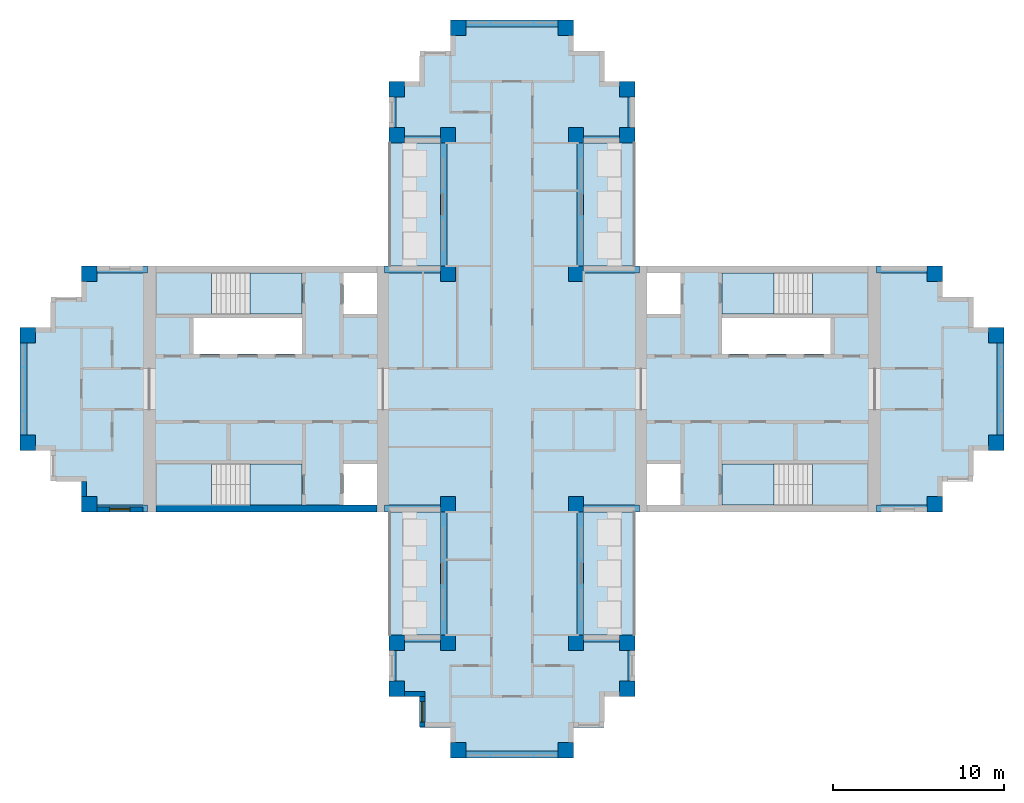
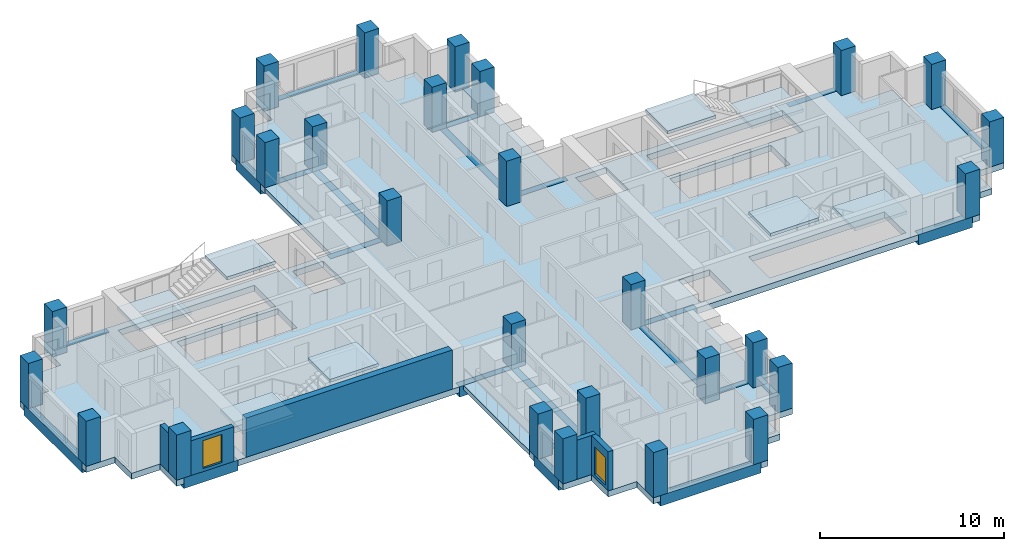
# One storey, part 1 of 10: 28 columns, 24 beams, 13 slabs, 5 walls, 2 windows, 2 openings, 4 elements without a shape of their own.
"""IFC4 building model written with IfcOpenShell, lengths in metres."""

from ifc_helpers import new_model, si_unit, direction, frame, frame_2d, origin, origin_2d, place, context, subcontext, project, spatial, polyline, rectangle, outline, extrude, material, layer, layer_set, material_profile, profile_set, type_object, element, fill, aggregate, save


model = new_model("IFC4")

# Units and contexts
model_context = context("Model", 3, precision=1e-05, world=origin(), true_north=direction((0.0, 1.0)))
body_context = subcontext(model_context, "Body", "Model", "MODEL_VIEW")
ifc_project = project(units=[si_unit("LENGTHUNIT", "METRE"), si_unit("AREAUNIT", "SQUARE_METRE"), si_unit("VOLUMEUNIT", "CUBIC_METRE"), si_unit("PLANEANGLEUNIT", "RADIAN"), si_unit("MASSUNIT", "GRAM", prefix="KILO")], contexts=[model_context])

# Site, building, storey
site_placement = place(None, origin())
site = spatial("IfcSite", under=ifc_project, at=site_placement, CompositionType="ELEMENT")
building_placement = place(site_placement, origin())
building = spatial("IfcBuilding", under=site, at=building_placement, Name="Fustian Cross Tower", CompositionType="ELEMENT")
storey_placement = place(building_placement, frame((0.0, 0.0, 204.89990234375)))
storey = spatial("IfcBuildingStorey", under=building, at=storey_placement, Name="L64", CompositionType="ELEMENT", Elevation=204.89990234375)

# Columns
ifc_material_1 = material(Name="Concrete C40/50", Category="concrete")
ifc_material_profile_1 = material_profile(ifc_material_1, rectangle(XDim=0.89990234375, YDim=0.89990234375, at=origin_2d()), Name="RC 900x900")
ifc_profile_set_1 = profile_set([ifc_material_profile_1], Name="Concrete C40/50")
column_type = type_object("IfcColumnType", Name="COLUMN RC 900x900 C40/50", PredefinedType="COLUMN", material=ifc_profile_set_1)
for number, where, z_axis, x_axis, name in (
    (1, (-28.35009765625, -3.14990234375, 0.0), (0.0, 0.0, 1.0), (1.0, 0.0, 0.0), "COLUMN 008"),
    (2, (-28.35009765625, 3.14990234375, 0.0), (0.0, 0.0, 1.0), (1.0, 0.0, 0.0), "COLUMN 009"),
    (3, (-24.75, -6.75, 0.0), (0.0, 0.0, 1.0), (1.0, 0.0, 0.0), "COLUMN 011"),
    (4, (-24.75, 6.75, 0.0), (0.0, 0.0, 1.0), (1.0, 0.0, 0.0), "COLUMN 012"),
    (5, (-6.75, -17.550048828125, 0.0), (0.0, 0.0, 1.0), (1.0, 0.0, 0.0), "COLUMN 017"),
    (6, (-6.75, -14.85009765625, 0.0), (0.0, 0.0, 1.0), (1.0, 0.0, 0.0), "COLUMN 018"),
    (7, (-6.75, 14.85009765625, 0.0), (0.0, 0.0, 1.0), (1.0, 0.0, 0.0), "COLUMN 019"),
    (8, (-6.75, 17.550048828125, 0.0), (0.0, 0.0, 1.0), (1.0, 0.0, 0.0), "COLUMN 020"),
    (9, (-3.75, -14.85009765625, 0.0), (0.0, 0.0, 1.0), (1.0, 0.0, 0.0), "COLUMN 025"),
    (10, (-3.75, -6.75, 0.0), (0.0, 0.0, 1.0), (1.0, 0.0, 0.0), "COLUMN 026"),
    (11, (-3.75, 6.75, 0.0), (0.0, 0.0, 1.0), (1.0, 0.0, 0.0), "COLUMN 027"),
    (12, (-3.75, 14.85009765625, 0.0), (0.0, 0.0, 1.0), (1.0, 0.0, 0.0), "COLUMN 028"),
    (13, (-3.14990234375, -21.14990234375, 0.0), (0.0, 0.0, 1.0), (1.0, 0.0, 0.0), "COLUMN 030"),
    (14, (-3.14990234375, 21.14990234375, 0.0), (0.0, 0.0, 1.0), (1.0, 0.0, 0.0), "COLUMN 031"),
    (15, (3.14990234375, -21.14990234375, 0.0), (0.0, 0.0, 1.0), (1.0, 0.0, 0.0), "COLUMN 034"),
    (16, (3.14990234375, 21.14990234375, 0.0), (0.0, 0.0, 1.0), (1.0, 0.0, 0.0), "COLUMN 035"),
    (17, (3.75, -14.85009765625, 0.0), (0.0, 0.0, 1.0), (1.0, 0.0, 0.0), "COLUMN 037"),
    (18, (3.75, -6.75, 0.0), (0.0, 0.0, 1.0), (1.0, 0.0, 0.0), "COLUMN 038"),
    (19, (3.75, 6.75, 0.0), (0.0, 0.0, 1.0), (1.0, 0.0, 0.0), "COLUMN 039"),
    (20, (3.75, 14.85009765625, 0.0), (0.0, 0.0, 1.0), (1.0, 0.0, 0.0), "COLUMN 040"),
    (21, (6.75, -17.550048828125, 0.0), (0.0, 0.0, 1.0), (1.0, 0.0, 0.0), "COLUMN 045"),
    (22, (6.75, -14.85009765625, 0.0), (0.0, 0.0, 1.0), (1.0, 0.0, 0.0), "COLUMN 046"),
    (23, (6.75, 14.85009765625, 0.0), (0.0, 0.0, 1.0), (1.0, 0.0, 0.0), "COLUMN 047"),
    (24, (6.75, 17.550048828125, 0.0), (0.0, 0.0, 1.0), (1.0, 0.0, 0.0), "COLUMN 048"),
    (25, (24.75, -6.75, 0.0), (0.0, 0.0, 1.0), (1.0, 0.0, 0.0), "COLUMN 053"),
    (26, (24.75, 6.75, 0.0), (0.0, 0.0, 1.0), (1.0, 0.0, 0.0), "COLUMN 054"),
    (27, (28.35009765625, -3.14990234375, 0.0), (0.0, 0.0, 1.0), (1.0, 0.0, 0.0), "COLUMN 056"),
    (28, (28.35009765625, 3.14990234375, 0.0), (0.0, 0.0, 1.0), (1.0, 0.0, 0.0), "COLUMN 057"),
):
    element("IfcColumn", number, at=place(storey_placement, frame(where, z_axis=z_axis, x_axis=x_axis)), inside=storey, type_object=column_type, Name=name, PredefinedType="COLUMN", context=body_context, shape_type="SweptSolid", body=[
        extrude(rectangle(XDim=0.89990234375, YDim=0.89990234375, at=origin_2d()), origin(), (0.0, 0.0, 1.0), 3.0),
    ])

# Beams
ifc_material_2 = material(Name="Concrete C50/60", Category="concrete")
ifc_material_profile_2 = material_profile(ifc_material_2, rectangle(XDim=0.39990234375, YDim=0.699951171875, at=origin_2d()), Name="RC 400x700")
ifc_profile_set_2 = profile_set([ifc_material_profile_2], Name="Concrete C50/60")
beam_type = type_object("IfcBeamType", Name="EDGE BEAM RC 400x700 C50/60", PredefinedType="SPANDREL", material=ifc_profile_set_2)
beam_1_placement = place(storey_placement, frame((21.35009765625, -7.0, -0.349853515625), z_axis=(1.0, 0.0, 0.0), x_axis=(0.0, 1.0, 0.0)))
element("IfcBeam", 29, at=beam_1_placement, inside=storey, type_object=beam_type, Name="EDGE BEAM L64-01", PredefinedType="SPANDREL", context=body_context, shape_type="SweptSolid", body=[
    extrude(rectangle(XDim=0.39990234375, YDim=0.699951171875, at=origin_2d()), origin(), (0.0, 0.0, 1.0), 3.39990234375),
])
beam_2_placement = place(storey_placement, frame((28.60009765625, -3.14990234375, -0.349853515625), z_axis=(0.0, 1.0, 0.0), x_axis=(-1.0, 0.0, 0.0)))
element("IfcBeam", 30, at=beam_2_placement, inside=storey, type_object=beam_type, Name="EDGE BEAM L64-02", PredefinedType="SPANDREL", context=body_context, shape_type="SweptSolid", body=[
    extrude(rectangle(XDim=0.39990234375, YDim=0.699951171875, at=origin_2d()), origin(), (0.0, 0.0, 1.0), 6.2998046875),
])
beam_3_placement = place(storey_placement, frame((24.75, 7.0, -0.349853515625), z_axis=(-1.0, 0.0, 0.0), x_axis=(0.0, -1.0, 0.0)))
element("IfcBeam", 31, at=beam_3_placement, inside=storey, type_object=beam_type, Name="EDGE BEAM L64-03", PredefinedType="SPANDREL", context=body_context, shape_type="SweptSolid", body=[
    extrude(rectangle(XDim=0.39990234375, YDim=0.699951171875, at=origin_2d()), origin(), (0.0, 0.0, 1.0), 3.39990234375),
])
beam_4_placement = place(storey_placement, frame((7.449951171875, 7.0, -0.349853515625), z_axis=(-1.0, 0.0, 0.0), x_axis=(0.0, -1.0, 0.0)))
element("IfcBeam", 32, at=beam_4_placement, inside=storey, type_object=beam_type, Name="EDGE BEAM L64-04", PredefinedType="SPANDREL", context=body_context, shape_type="SweptSolid", body=[
    extrude(rectangle(XDim=0.39990234375, YDim=0.699951171875, at=origin_2d()), origin(), (0.0, 0.0, 1.0), 3.699951171875),
])
beam_5_placement = place(storey_placement, frame((4.0, 6.75, -0.349853515625), z_axis=(0.0, 1.0, 0.0), x_axis=(-1.0, 0.0, 0.0)))
element("IfcBeam", 33, at=beam_5_placement, inside=storey, type_object=beam_type, Name="EDGE BEAM L64-05", PredefinedType="SPANDREL", context=body_context, shape_type="SweptSolid", body=[
    extrude(rectangle(XDim=0.39990234375, YDim=0.699951171875, at=origin_2d()), origin(), (0.0, 0.0, 1.0), 8.10009765625),
])
beam_6_placement = place(storey_placement, frame((3.75, 14.60009765625, -0.349853515625), z_axis=(1.0, 0.0, 0.0), x_axis=(0.0, 1.0, 0.0)))
element("IfcBeam", 34, at=beam_6_placement, inside=storey, type_object=beam_type, Name="EDGE BEAM L64-06", PredefinedType="SPANDREL", context=body_context, shape_type="SweptSolid", body=[
    extrude(rectangle(XDim=0.39990234375, YDim=0.699951171875, at=origin_2d()), origin(), (0.0, 0.0, 1.0), 3.0),
])
beam_7_placement = place(storey_placement, frame((7.0, 14.85009765625, -0.349853515625), z_axis=(0.0, 1.0, 0.0), x_axis=(-1.0, 0.0, 0.0)))
element("IfcBeam", 35, at=beam_7_placement, inside=storey, type_object=beam_type, Name="EDGE BEAM L64-07", PredefinedType="SPANDREL", context=body_context, shape_type="SweptSolid", body=[
    extrude(rectangle(XDim=0.39990234375, YDim=0.699951171875, at=origin_2d()), origin(), (0.0, 0.0, 1.0), 2.699951171875),
])
beam_8_placement = place(storey_placement, frame((3.14990234375, 21.39990234375, -0.349853515625), z_axis=(-1.0, 0.0, 0.0), x_axis=(0.0, -1.0, 0.0)))
element("IfcBeam", 36, at=beam_8_placement, inside=storey, type_object=beam_type, Name="EDGE BEAM L64-08", PredefinedType="SPANDREL", context=body_context, shape_type="SweptSolid", body=[
    extrude(rectangle(XDim=0.39990234375, YDim=0.699951171875, at=origin_2d()), origin(), (0.0, 0.0, 1.0), 6.2998046875),
])
beam_9_placement = place(storey_placement, frame((-7.0, 17.550048828125, -0.349853515625), z_axis=(0.0, -1.0, 0.0), x_axis=(1.0, 0.0, 0.0)))
element("IfcBeam", 37, at=beam_9_placement, inside=storey, type_object=beam_type, Name="EDGE BEAM L64-09", PredefinedType="SPANDREL", context=body_context, shape_type="SweptSolid", body=[
    extrude(rectangle(XDim=0.39990234375, YDim=0.699951171875, at=origin_2d()), origin(), (0.0, 0.0, 1.0), 2.699951171875),
])
beam_10_placement = place(storey_placement, frame((-6.75, 14.60009765625, -0.349853515625), z_axis=(1.0, 0.0, 0.0), x_axis=(0.0, 1.0, 0.0)))
element("IfcBeam", 38, at=beam_10_placement, inside=storey, type_object=beam_type, Name="EDGE BEAM L64-10", PredefinedType="SPANDREL", context=body_context, shape_type="SweptSolid", body=[
    extrude(rectangle(XDim=0.39990234375, YDim=0.699951171875, at=origin_2d()), origin(), (0.0, 0.0, 1.0), 3.0),
])
beam_11_placement = place(storey_placement, frame((-4.0, 14.85009765625, -0.349853515625), z_axis=(0.0, -1.0, 0.0), x_axis=(1.0, 0.0, 0.0)))
element("IfcBeam", 39, at=beam_11_placement, inside=storey, type_object=beam_type, Name="EDGE BEAM L64-11", PredefinedType="SPANDREL", context=body_context, shape_type="SweptSolid", body=[
    extrude(rectangle(XDim=0.39990234375, YDim=0.699951171875, at=origin_2d()), origin(), (0.0, 0.0, 1.0), 8.10009765625),
])
beam_12_placement = place(storey_placement, frame((-3.75, 7.0, -0.349853515625), z_axis=(-1.0, 0.0, 0.0), x_axis=(0.0, -1.0, 0.0)))
element("IfcBeam", 40, at=beam_12_placement, inside=storey, type_object=beam_type, Name="EDGE BEAM L64-12", PredefinedType="SPANDREL", context=body_context, shape_type="SweptSolid", body=[
    extrude(rectangle(XDim=0.39990234375, YDim=0.699951171875, at=origin_2d()), origin(), (0.0, 0.0, 1.0), 3.699951171875),
])
beam_13_placement = place(storey_placement, frame((-21.35009765625, 7.0, -0.349853515625), z_axis=(-1.0, 0.0, 0.0), x_axis=(0.0, -1.0, 0.0)))
element("IfcBeam", 41, at=beam_13_placement, inside=storey, type_object=beam_type, Name="EDGE BEAM L64-13", PredefinedType="SPANDREL", context=body_context, shape_type="SweptSolid", body=[
    extrude(rectangle(XDim=0.39990234375, YDim=0.699951171875, at=origin_2d()), origin(), (0.0, 0.0, 1.0), 3.39990234375),
])
beam_14_placement = place(storey_placement, frame((-28.60009765625, 3.14990234375, -0.349853515625), z_axis=(0.0, -1.0, 0.0), x_axis=(1.0, 0.0, 0.0)))
element("IfcBeam", 42, at=beam_14_placement, inside=storey, type_object=beam_type, Name="EDGE BEAM L64-14", PredefinedType="SPANDREL", context=body_context, shape_type="SweptSolid", body=[
    extrude(rectangle(XDim=0.39990234375, YDim=0.699951171875, at=origin_2d()), origin(), (0.0, 0.0, 1.0), 6.2998046875),
])
beam_15_placement = place(storey_placement, frame((-24.75, -7.0, -0.349853515625), z_axis=(1.0, 0.0, 0.0), x_axis=(0.0, 1.0, 0.0)))
element("IfcBeam", 43, at=beam_15_placement, inside=storey, type_object=beam_type, Name="EDGE BEAM L64-15", PredefinedType="SPANDREL", context=body_context, shape_type="SweptSolid", body=[
    extrude(rectangle(XDim=0.39990234375, YDim=0.699951171875, at=origin_2d()), origin(), (0.0, 0.0, 1.0), 3.39990234375),
])
beam_16_placement = place(storey_placement, frame((-7.449951171875, -7.0, -0.349853515625), z_axis=(1.0, 0.0, 0.0), x_axis=(0.0, 1.0, 0.0)))
element("IfcBeam", 44, at=beam_16_placement, inside=storey, type_object=beam_type, Name="EDGE BEAM L64-16", PredefinedType="SPANDREL", context=body_context, shape_type="SweptSolid", body=[
    extrude(rectangle(XDim=0.39990234375, YDim=0.699951171875, at=origin_2d()), origin(), (0.0, 0.0, 1.0), 3.699951171875),
])
beam_17_placement = place(storey_placement, frame((-4.0, -6.75, -0.349853515625), z_axis=(0.0, -1.0, 0.0), x_axis=(1.0, 0.0, 0.0)))
element("IfcBeam", 45, at=beam_17_placement, inside=storey, type_object=beam_type, Name="EDGE BEAM L64-17", PredefinedType="SPANDREL", context=body_context, shape_type="SweptSolid", body=[
    extrude(rectangle(XDim=0.39990234375, YDim=0.699951171875, at=origin_2d()), origin(), (0.0, 0.0, 1.0), 8.10009765625),
])
beam_18_placement = place(storey_placement, frame((-3.75, -14.60009765625, -0.349853515625), z_axis=(-1.0, 0.0, 0.0), x_axis=(0.0, -1.0, 0.0)))
element("IfcBeam", 46, at=beam_18_placement, inside=storey, type_object=beam_type, Name="EDGE BEAM L64-18", PredefinedType="SPANDREL", context=body_context, shape_type="SweptSolid", body=[
    extrude(rectangle(XDim=0.39990234375, YDim=0.699951171875, at=origin_2d()), origin(), (0.0, 0.0, 1.0), 3.0),
])
beam_19_placement = place(storey_placement, frame((-7.0, -14.85009765625, -0.349853515625), z_axis=(0.0, -1.0, 0.0), x_axis=(1.0, 0.0, 0.0)))
element("IfcBeam", 47, at=beam_19_placement, inside=storey, type_object=beam_type, Name="EDGE BEAM L64-19", PredefinedType="SPANDREL", context=body_context, shape_type="SweptSolid", body=[
    extrude(rectangle(XDim=0.39990234375, YDim=0.699951171875, at=origin_2d()), origin(), (0.0, 0.0, 1.0), 2.699951171875),
])
beam_20_placement = place(storey_placement, frame((-3.14990234375, -21.39990234375, -0.349853515625), z_axis=(1.0, 0.0, 0.0), x_axis=(0.0, 1.0, 0.0)))
element("IfcBeam", 48, at=beam_20_placement, inside=storey, type_object=beam_type, Name="EDGE BEAM L64-20", PredefinedType="SPANDREL", context=body_context, shape_type="SweptSolid", body=[
    extrude(rectangle(XDim=0.39990234375, YDim=0.699951171875, at=origin_2d()), origin(), (0.0, 0.0, 1.0), 6.2998046875),
])
beam_21_placement = place(storey_placement, frame((7.0, -17.550048828125, -0.349853515625), z_axis=(0.0, 1.0, 0.0), x_axis=(-1.0, 0.0, 0.0)))
element("IfcBeam", 49, at=beam_21_placement, inside=storey, type_object=beam_type, Name="EDGE BEAM L64-21", PredefinedType="SPANDREL", context=body_context, shape_type="SweptSolid", body=[
    extrude(rectangle(XDim=0.39990234375, YDim=0.699951171875, at=origin_2d()), origin(), (0.0, 0.0, 1.0), 2.699951171875),
])
beam_22_placement = place(storey_placement, frame((6.75, -14.60009765625, -0.349853515625), z_axis=(-1.0, 0.0, 0.0), x_axis=(0.0, -1.0, 0.0)))
element("IfcBeam", 50, at=beam_22_placement, inside=storey, type_object=beam_type, Name="EDGE BEAM L64-22", PredefinedType="SPANDREL", context=body_context, shape_type="SweptSolid", body=[
    extrude(rectangle(XDim=0.39990234375, YDim=0.699951171875, at=origin_2d()), origin(), (0.0, 0.0, 1.0), 3.0),
])
beam_23_placement = place(storey_placement, frame((4.0, -14.85009765625, -0.349853515625), z_axis=(0.0, 1.0, 0.0), x_axis=(-1.0, 0.0, 0.0)))
element("IfcBeam", 51, at=beam_23_placement, inside=storey, type_object=beam_type, Name="EDGE BEAM L64-23", PredefinedType="SPANDREL", context=body_context, shape_type="SweptSolid", body=[
    extrude(rectangle(XDim=0.39990234375, YDim=0.699951171875, at=origin_2d()), origin(), (0.0, 0.0, 1.0), 8.10009765625),
])
beam_24_placement = place(storey_placement, frame((3.75, -7.0, -0.349853515625), z_axis=(1.0, 0.0, 0.0), x_axis=(0.0, 1.0, 0.0)))
element("IfcBeam", 52, at=beam_24_placement, inside=storey, type_object=beam_type, Name="EDGE BEAM L64-24", PredefinedType="SPANDREL", context=body_context, shape_type="SweptSolid", body=[
    extrude(rectangle(XDim=0.39990234375, YDim=0.699951171875, at=origin_2d()), origin(), (0.0, 0.0, 1.0), 3.699951171875),
])

# Slabs
ifc_material_3 = material(Name="Concrete C40/50", Category="concrete")
ifc_layer_1 = layer(ifc_material_3, 0.300048828125)
ifc_layer_set_1 = layer_set([ifc_layer_1], Name="Concrete C40/50")
slab_type_1 = type_object("IfcSlabType", Name="BS1 BALCONY SLAB 300", PredefinedType="FLOOR", material=ifc_layer_set_1)
slab_1_placement = place(storey_placement, frame((0.0, 0.0, -0.2998046875)))
element("IfcSlab", 53, at=slab_1_placement, inside=storey, type_object=slab_type_1, Name="Balcony slab", PredefinedType="FLOOR", context=body_context, shape_type="SweptSolid", body=[
    extrude(outline(polyline([(4.199951171875, 7.199951171875), (7.199951171875, 7.199951171875), (7.199951171875, 14.39990234375), (4.199951171875, 14.39990234375), (4.199951171875, 7.199951171875)])), origin(), (0.0, 0.0, 1.0), 0.2998046875),
])
slab_2_placement = place(storey_placement, frame((0.0, 0.0, -0.2998046875)))
element("IfcSlab", 54, at=slab_2_placement, inside=storey, type_object=slab_type_1, Name="Balcony slab", PredefinedType="FLOOR", context=body_context, shape_type="SweptSolid", body=[
    extrude(outline(polyline([(-7.199951171875, 7.199951171875), (-4.199951171875, 7.199951171875), (-4.199951171875, 14.39990234375), (-7.199951171875, 14.39990234375), (-7.199951171875, 7.199951171875)])), origin(), (0.0, 0.0, 1.0), 0.2998046875),
])
slab_3_placement = place(storey_placement, frame((0.0, 0.0, -0.2998046875)))
element("IfcSlab", 55, at=slab_3_placement, inside=storey, type_object=slab_type_1, Name="Balcony slab", PredefinedType="FLOOR", context=body_context, shape_type="SweptSolid", body=[
    extrude(outline(polyline([(4.199951171875, -14.39990234375), (7.199951171875, -14.39990234375), (7.199951171875, -7.199951171875), (4.199951171875, -7.199951171875), (4.199951171875, -14.39990234375)])), origin(), (0.0, 0.0, 1.0), 0.2998046875),
])
slab_4_placement = place(storey_placement, frame((0.0, 0.0, -0.2998046875)))
element("IfcSlab", 56, at=slab_4_placement, inside=storey, type_object=slab_type_1, Name="Balcony slab", PredefinedType="FLOOR", context=body_context, shape_type="SweptSolid", body=[
    extrude(outline(polyline([(-7.199951171875, -14.39990234375), (-4.199951171875, -14.39990234375), (-4.199951171875, -7.199951171875), (-7.199951171875, -7.199951171875), (-7.199951171875, -14.39990234375)])), origin(), (0.0, 0.0, 1.0), 0.2998046875),
])
ifc_material_4 = material(Name="Concrete C40/50", Category="concrete")
ifc_layer_2 = layer(ifc_material_4, 0.39990234375)
ifc_layer_set_2 = layer_set([ifc_layer_2], Name="Concrete C40/50")
slab_type_2 = type_object("IfcSlabType", Name="FLAT SLAB 400", PredefinedType="FLOOR", material=ifc_layer_set_2)
slab_5_placement = place(storey_placement, frame((0.0, 0.0, -0.39990234375)))
element("IfcSlab", 57, at=slab_5_placement, inside=storey, type_object=slab_type_2, Name="FLOOR SLAB L64-1", PredefinedType="FLOOR", context=body_context, shape_type="SweptSolid", body=[
    extrude(outline(polyline([(-3.60009765625, -19.800048828125), (-5.39990234375, -19.800048828125), (-5.39990234375, -18.0), (-7.199951171875, -18.0), (-7.199951171875, -14.39990234375), (-4.199951171875, -14.39990234375), (-4.199951171875, -7.199951171875), (-25.199951171875, -7.199951171875), (-25.199951171875, -5.39990234375), (-27.0, -5.39990234375), (-27.0, -3.60009765625), (-28.800048828125, -3.60009765625), (-28.800048828125, 3.60009765625), (-27.0, 3.60009765625), (-27.0, 5.39990234375), (-25.199951171875, 5.39990234375), (-25.199951171875, 7.199951171875), (-4.199951171875, 7.199951171875), (-4.199951171875, 14.39990234375), (-7.199951171875, 14.39990234375), (-7.199951171875, 18.0), (-5.39990234375, 18.0), (-5.39990234375, 19.800048828125), (-3.60009765625, 19.800048828125), (-3.60009765625, 21.60009765625), (3.60009765625, 21.60009765625), (3.60009765625, 19.800048828125), (5.39990234375, 19.800048828125), (5.39990234375, 18.0), (7.199951171875, 18.0), (7.199951171875, 14.39990234375), (4.199951171875, 14.39990234375), (4.199951171875, 7.199951171875), (25.199951171875, 7.199951171875), (25.199951171875, 5.39990234375), (27.0, 5.39990234375), (27.0, 3.60009765625), (28.800048828125, 3.60009765625), (28.800048828125, -3.60009765625), (27.0, -3.60009765625), (27.0, -5.39990234375), (25.199951171875, -5.39990234375), (25.199951171875, -7.199951171875), (4.199951171875, -7.199951171875), (4.199951171875, -14.39990234375), (7.199951171875, -14.39990234375), (7.199951171875, -18.0), (5.39990234375, -18.0), (5.39990234375, -19.800048828125), (3.60009765625, -19.800048828125), (3.60009765625, -21.60009765625), (-3.60009765625, -21.60009765625), (-3.60009765625, -19.800048828125)]), holes=[polyline([(7.89990234375, 6.800048828125), (7.89990234375, 4.39990234375), (9.85009765625, 4.39990234375), (9.85009765625, 6.800048828125), (7.89990234375, 6.800048828125)]), polyline([(9.85009765625, -4.39990234375), (7.89990234375, -4.39990234375), (7.89990234375, -6.800048828125), (9.85009765625, -6.800048828125), (9.85009765625, -4.39990234375)]), polyline([(-7.89990234375, 4.39990234375), (-7.89990234375, 6.800048828125), (-9.85009765625, 6.800048828125), (-9.85009765625, 4.39990234375), (-7.89990234375, 4.39990234375)]), polyline([(-9.85009765625, -6.800048828125), (-7.89990234375, -6.800048828125), (-7.89990234375, -4.39990234375), (-9.85009765625, -4.39990234375), (-9.85009765625, -6.800048828125)]), polyline([(12.300048828125, 4.14990234375), (12.300048828125, 2.050048828125), (18.64990234375, 2.050048828125), (18.64990234375, 4.14990234375), (12.300048828125, 4.14990234375)]), polyline([(-12.300048828125, 4.14990234375), (-18.64990234375, 4.14990234375), (-18.64990234375, 2.050048828125), (-12.300048828125, 2.050048828125), (-12.300048828125, 4.14990234375)]), polyline([(20.85009765625, 4.39990234375), (20.85009765625, 6.699951171875), (12.300048828125, 6.699951171875), (12.300048828125, 4.39990234375), (20.85009765625, 4.39990234375)]), polyline([(12.300048828125, -6.699951171875), (20.85009765625, -6.699951171875), (20.85009765625, -4.39990234375), (12.300048828125, -4.39990234375), (12.300048828125, -6.699951171875)]), polyline([(-20.85009765625, 6.699951171875), (-20.85009765625, 4.39990234375), (-12.300048828125, 4.39990234375), (-12.300048828125, 6.699951171875), (-20.85009765625, 6.699951171875)]), polyline([(-12.300048828125, -4.39990234375), (-20.85009765625, -4.39990234375), (-20.85009765625, -6.699951171875), (-12.300048828125, -6.699951171875), (-12.300048828125, -4.39990234375)])]), origin(), (0.0, 0.0, 1.0), 0.39990234375),
])

# Stair, slabs
ifc_material_5 = material(Name="Concrete C50/60", Category="concrete")
stair_type = type_object("IfcStairType", Name="STAIR 1200 HALF TURN", PredefinedType="HALF_TURN_STAIR", material=ifc_material_5)
stair_1_placement = place(storey_placement, origin())
stair_1 = element("IfcStair", 58, at=stair_1_placement, inside=storey, type_object=stair_type, Name="Stair ST1", PredefinedType="HALF_TURN_STAIR")
ifc_material_6 = material(Name="Concrete C50/60", Category="concrete")
ifc_layer_3 = layer(ifc_material_6, 0.199951171875)
ifc_layer_set_3 = layer_set([ifc_layer_3], Name="Concrete C50/60")
slab_type_3 = type_object("IfcSlabType", Name="STAIR LANDING", PredefinedType="LANDING", material=ifc_layer_set_3)
slab_6_placement = place(storey_placement, frame((0.0, 0.0, 1.300048828125)))
slab_6 = element("IfcSlab", 59, at=slab_6_placement, type_object=slab_type_3, Name="ST1 landing 1", PredefinedType="LANDING", context=body_context, shape_type="SweptSolid", body=[
    extrude(outline(polyline([(17.590087890625, 4.39990234375), (20.85009765625, 4.39990234375), (20.85009765625, 6.800048828125), (17.590087890625, 6.800048828125), (17.590087890625, 4.39990234375)])), origin(), (0.0, 0.0, 1.0), 0.199951171875),
])
slab_7_placement = place(storey_placement, frame((0.0, 0.0, 2.800048828125)))
slab_7 = element("IfcSlab", 60, at=slab_7_placement, type_object=slab_type_3, Name="ST1 landing 2", PredefinedType="LANDING", context=body_context, shape_type="SweptSolid", body=[
    extrude(outline(polyline([(12.300048828125, 4.39990234375), (15.35009765625, 4.39990234375), (15.35009765625, 6.800048828125), (12.300048828125, 6.800048828125), (12.300048828125, 4.39990234375)])), origin(), (0.0, 0.0, 1.0), 0.199951171875),
])
aggregate(stair_1, [slab_6, slab_7])

stair_2_placement = place(storey_placement, origin())
stair_2 = element("IfcStair", 61, at=stair_2_placement, inside=storey, type_object=stair_type, Name="Stair ST2", PredefinedType="HALF_TURN_STAIR")
slab_8_placement = place(storey_placement, frame((0.0, 0.0, 1.300048828125)))
slab_8 = element("IfcSlab", 62, at=slab_8_placement, type_object=slab_type_3, Name="ST2 landing 1", PredefinedType="LANDING", context=body_context, shape_type="SweptSolid", body=[
    extrude(outline(polyline([(17.590087890625, -4.39990234375), (20.85009765625, -4.39990234375), (20.85009765625, -6.800048828125), (17.590087890625, -6.800048828125), (17.590087890625, -4.39990234375)])), origin(), (0.0, 0.0, 1.0), 0.199951171875),
])
slab_9_placement = place(storey_placement, frame((0.0, 0.0, 2.800048828125)))
slab_9 = element("IfcSlab", 63, at=slab_9_placement, type_object=slab_type_3, Name="ST2 landing 2", PredefinedType="LANDING", context=body_context, shape_type="SweptSolid", body=[
    extrude(outline(polyline([(12.300048828125, -4.39990234375), (15.35009765625, -4.39990234375), (15.35009765625, -6.800048828125), (12.300048828125, -6.800048828125), (12.300048828125, -4.39990234375)])), origin(), (0.0, 0.0, 1.0), 0.199951171875),
])
aggregate(stair_2, [slab_8, slab_9])

stair_3_placement = place(storey_placement, origin())
stair_3 = element("IfcStair", 64, at=stair_3_placement, inside=storey, type_object=stair_type, Name="Stair ST3", PredefinedType="HALF_TURN_STAIR")
slab_10_placement = place(storey_placement, frame((0.0, 0.0, 1.300048828125)))
slab_10 = element("IfcSlab", 65, at=slab_10_placement, type_object=slab_type_3, Name="ST3 landing 1", PredefinedType="LANDING", context=body_context, shape_type="SweptSolid", body=[
    extrude(outline(polyline([(-17.590087890625, 4.39990234375), (-20.85009765625, 4.39990234375), (-20.85009765625, 6.800048828125), (-17.590087890625, 6.800048828125), (-17.590087890625, 4.39990234375)])), origin(), (0.0, 0.0, 1.0), 0.199951171875),
])
slab_11_placement = place(storey_placement, frame((0.0, 0.0, 2.800048828125)))
slab_11 = element("IfcSlab", 66, at=slab_11_placement, type_object=slab_type_3, Name="ST3 landing 2", PredefinedType="LANDING", context=body_context, shape_type="SweptSolid", body=[
    extrude(outline(polyline([(-12.300048828125, 4.39990234375), (-15.35009765625, 4.39990234375), (-15.35009765625, 6.800048828125), (-12.300048828125, 6.800048828125), (-12.300048828125, 4.39990234375)])), origin(), (0.0, 0.0, 1.0), 0.199951171875),
])
aggregate(stair_3, [slab_10, slab_11])

stair_4_placement = place(storey_placement, origin())
stair_4 = element("IfcStair", 67, at=stair_4_placement, inside=storey, type_object=stair_type, Name="Stair ST4", PredefinedType="HALF_TURN_STAIR")
slab_12_placement = place(storey_placement, frame((0.0, 0.0, 1.300048828125)))
slab_12 = element("IfcSlab", 68, at=slab_12_placement, type_object=slab_type_3, Name="ST4 landing 1", PredefinedType="LANDING", context=body_context, shape_type="SweptSolid", body=[
    extrude(outline(polyline([(-17.590087890625, -4.39990234375), (-20.85009765625, -4.39990234375), (-20.85009765625, -6.800048828125), (-17.590087890625, -6.800048828125), (-17.590087890625, -4.39990234375)])), origin(), (0.0, 0.0, 1.0), 0.199951171875),
])
slab_13_placement = place(storey_placement, frame((0.0, 0.0, 2.800048828125)))
slab_13 = element("IfcSlab", 69, at=slab_13_placement, type_object=slab_type_3, Name="ST4 landing 2", PredefinedType="LANDING", context=body_context, shape_type="SweptSolid", body=[
    extrude(outline(polyline([(-12.300048828125, -4.39990234375), (-15.35009765625, -4.39990234375), (-15.35009765625, -6.800048828125), (-12.300048828125, -6.800048828125), (-12.300048828125, -4.39990234375)])), origin(), (0.0, 0.0, 1.0), 0.199951171875),
])
aggregate(stair_4, [slab_12, slab_13])

# Walls
ifc_material_7 = material(Name="Concrete C50/60", Category="concrete")
ifc_layer_4 = layer(ifc_material_7, 0.39990234375)
ifc_layer_set_4 = layer_set([ifc_layer_4], Name="Concrete C50/60")
wall_type_1 = type_object("IfcWallType", Name="CORE FACADE WALL 400 C50/60", PredefinedType="SHEAR", material=ifc_layer_set_4)
wall_1_placement = place(storey_placement, frame((-7.89990234375, -7.0, 0.0), z_axis=(0.0, 0.0, 1.0), x_axis=(-1.0, 0.0, 0.0)))
element("IfcWall", 70, at=wall_1_placement, inside=storey, type_object=wall_type_1, Name="Core facade wall", PredefinedType="SHEAR", context=body_context, shape_type="SweptSolid", body=[
    extrude(rectangle(XDim=12.9501953125, YDim=0.39990234375, at=frame_2d((6.47509765625, 0.0))), origin(), (0.0, 0.0, 1.0), 2.60009765625),
])
ifc_material_8 = material(Name="Dark aluminium cladding on insulated backing wall", Category="aluminium")
ifc_layer_5 = layer(ifc_material_8, 0.300048828125)
ifc_layer_set_5 = layer_set([ifc_layer_5], Name="Dark aluminium cladding on insulated backing wall")
wall_type_2 = type_object("IfcWallType", Name="XW1 EXTERNAL WALL 300", PredefinedType="SOLIDWALL", material=ifc_layer_set_5)
wall_2_placement = place(storey_placement, frame((-25.050048828125, -5.39990234375, 0.0), z_axis=(0.0, 0.0, 1.0), x_axis=(0.0, -1.0, 0.0)))
element("IfcWall", 71, at=wall_2_placement, inside=storey, type_object=wall_type_2, Name="External wall", PredefinedType="SOLIDWALL", context=body_context, shape_type="SweptSolid", body=[
    extrude(rectangle(XDim=0.900146484375, YDim=0.300048828125, at=frame_2d((0.4501953125, 0.0))), origin(), (0.0, 0.0, 1.0), 2.60009765625),
])

# Wall, opening, window
wall_3_placement = place(storey_placement, frame((-24.300048828125, -7.050048828125, 0.0), z_axis=(0.0, 0.0, 1.0), x_axis=(1.0, 0.0, 0.0)))
wall_3 = element("IfcWall", 72, at=wall_3_placement, inside=storey, type_object=wall_type_2, Name="External wall", PredefinedType="SOLIDWALL", context=body_context, shape_type="SweptSolid", body=[
    extrude(rectangle(XDim=2.699951171875, YDim=0.300048828125, at=frame_2d((1.35009765625, 0.0))), origin(), (0.0, 0.0, 1.0), 2.300048828125),
])
opening_1_placement = place(wall_3_placement, frame((0.75, 0.0, 0.199951171875)))
opening_1 = element("IfcOpeningElement", 73, at=opening_1_placement, cuts=wall_3, Name="Opening WN3", PredefinedType="OPENING", context=body_context, shape_type="SweptSolid", body=[
    extrude(rectangle(XDim=1.199951171875, YDim=1.85009765625, at=frame_2d((0.60009765625, 0.925048828125))), frame((0.0, 0.159912109375, 0.0), z_axis=(0.0, -1.0, 0.0), x_axis=(1.0, 0.0, 0.0)), (0.0, 0.0, 1.0), 0.320068359375),
])
ifc_material_9 = material(Name="Dark anodised aluminium and double glazing", Category="aluminium")
window_type = type_object("IfcWindowType", Name="WN3 WINDOW 1200X1850", PartitioningType="SINGLE_PANEL", PredefinedType="WINDOW", material=ifc_material_9)
window_1_placement = place(opening_1_placement, origin())
window_1 = element("IfcWindow", 74, at=window_1_placement, inside=storey, type_object=window_type, Name="Window", OverallHeight=1.85009765625, OverallWidth=1.199951171875, PartitioningType="SINGLE_PANEL", PredefinedType="WINDOW", context=body_context, shape_type="SweptSolid", body=[
    extrude(rectangle(XDim=1.199951171875, YDim=1.85009765625, at=frame_2d((0.60009765625, 0.925048828125))), frame((0.0, 0.030029296875, 0.0), z_axis=(0.0, -1.0, 0.0), x_axis=(1.0, 0.0, 0.0)), (0.0, 0.0, 1.0), 0.06005859375),
])
fill(opening_1, window_1)

# Wall
wall_4_placement = place(storey_placement, frame((-6.300048828125, -17.85009765625, 0.0), z_axis=(0.0, 0.0, 1.0), x_axis=(1.0, 0.0, 0.0)))
element("IfcWall", 75, at=wall_4_placement, inside=storey, type_object=wall_type_2, Name="External wall", PredefinedType="SOLIDWALL", context=body_context, shape_type="SweptSolid", body=[
    extrude(rectangle(XDim=1.199951171875, YDim=0.300048828125, at=frame_2d((0.60009765625, 0.0))), origin(), (0.0, 0.0, 1.0), 2.60009765625),
])

# Wall, opening, window
wall_5_placement = place(storey_placement, frame((-5.25, -18.0, 0.0), z_axis=(0.0, 0.0, 1.0), x_axis=(0.0, -1.0, 0.0)))
wall_5 = element("IfcWall", 76, at=wall_5_placement, inside=storey, type_object=wall_type_2, Name="External wall", PredefinedType="SOLIDWALL", context=body_context, shape_type="SweptSolid", body=[
    extrude(rectangle(XDim=1.800048828125, YDim=0.300048828125, at=frame_2d((0.89990234375, 0.0))), origin(), (0.0, 0.0, 1.0), 2.60009765625),
])
opening_2_placement = place(wall_5_placement, frame((0.300048828125, 0.0, 0.199951171875)))
opening_2 = element("IfcOpeningElement", 77, at=opening_2_placement, cuts=wall_5, Name="Opening WN3", PredefinedType="OPENING", context=body_context, shape_type="SweptSolid", body=[
    extrude(rectangle(XDim=1.199951171875, YDim=1.85009765625, at=frame_2d((0.60009765625, 0.925048828125))), frame((0.0, 0.159912109375, 0.0), z_axis=(0.0, -1.0, 0.0), x_axis=(1.0, 0.0, 0.0)), (0.0, 0.0, 1.0), 0.320068359375),
])
window_2_placement = place(opening_2_placement, origin())
window_2 = element("IfcWindow", 78, at=window_2_placement, inside=storey, type_object=window_type, Name="Window", OverallHeight=1.85009765625, OverallWidth=1.199951171875, PartitioningType="SINGLE_PANEL", PredefinedType="WINDOW", context=body_context, shape_type="SweptSolid", body=[
    extrude(rectangle(XDim=1.199951171875, YDim=1.85009765625, at=frame_2d((0.60009765625, 0.925048828125))), frame((0.0, 0.030029296875, 0.0), z_axis=(0.0, -1.0, 0.0), x_axis=(1.0, 0.0, 0.0)), (0.0, 0.0, 1.0), 0.06005859375),
])
fill(opening_2, window_2)

save(model, "model.ifc")
